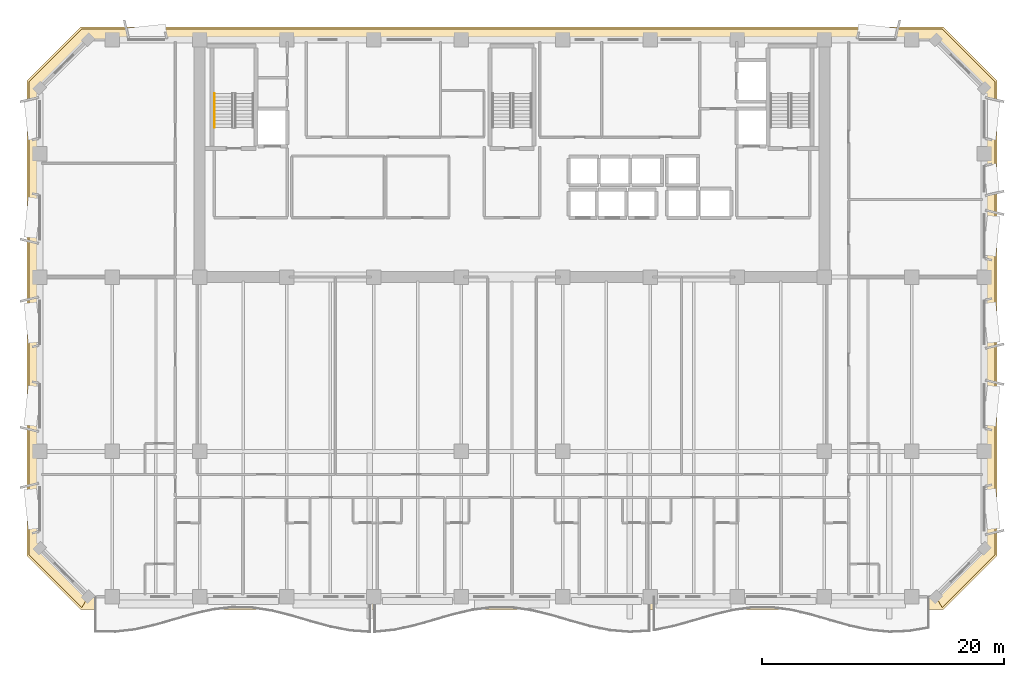
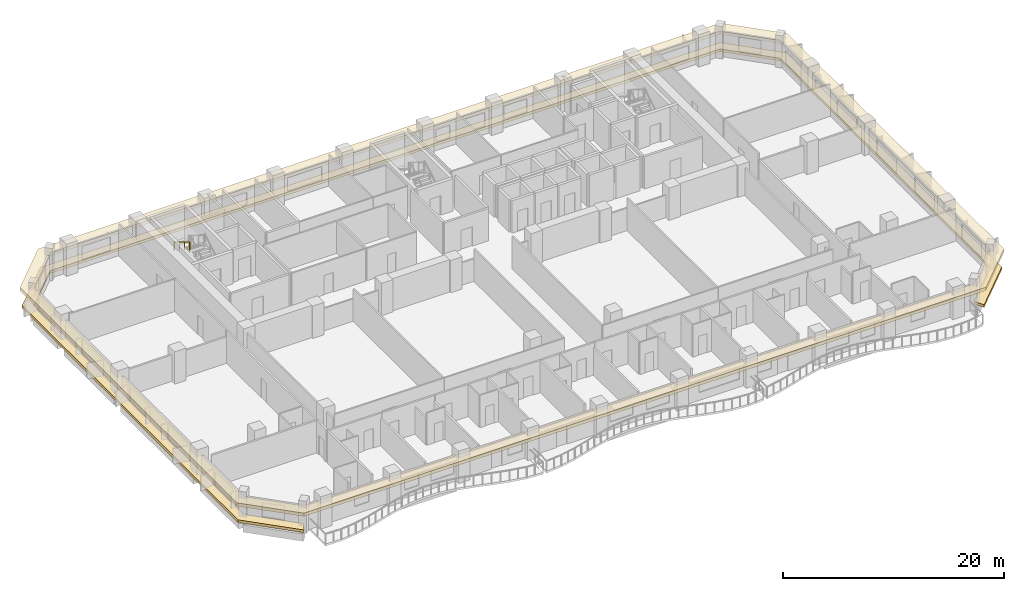
# One storey, part 12 of 15: 2 coverings, 1 railing.
"""IFC4 building model written with IfcOpenShell, lengths in metres."""

from ifc_helpers import new_model, si_unit, direction, frame, origin, origin_2d, place, context, subcontext, project, spatial, polyline, rectangle, outline, extrude, material, layer, layer_set, type_object, element, save


model = new_model("IFC4")

# Units and contexts
model_context = context("Model", 3, precision=1e-05, world=origin(), true_north=direction((0.0, 1.0)))
body_context = subcontext(model_context, "Body", "Model", "MODEL_VIEW")
ifc_project = project(units=[si_unit("LENGTHUNIT", "METRE"), si_unit("AREAUNIT", "SQUARE_METRE"), si_unit("VOLUMEUNIT", "CUBIC_METRE"), si_unit("PLANEANGLEUNIT", "RADIAN"), si_unit("MASSUNIT", "GRAM", prefix="KILO")], contexts=[model_context])

# Site, building, storey
site_placement = place(None, origin())
site = spatial("IfcSite", under=ifc_project, at=site_placement, CompositionType="ELEMENT")
building_placement = place(site_placement, origin())
building = spatial("IfcBuilding", under=site, at=building_placement, Name="Kaelvorn Grand Hotel", CompositionType="ELEMENT")
storey_placement = place(building_placement, frame((0.0, 0.0, 146.75)))
storey = spatial("IfcBuildingStorey", under=building, at=storey_placement, Name="L35", CompositionType="ELEMENT", Elevation=146.75)

# Coverings
ifc_material_1 = material(Name="Precast concrete C45/55", Category="concrete")
ifc_layer_1 = layer(ifc_material_1, 0.260009765625)
ifc_layer_set_1 = layer_set([ifc_layer_1], Name="Precast concrete C45/55")
covering_type_1 = type_object("IfcCoveringType", Name="COV-BAND-STREAMLINE-HEAD", PredefinedType="CLADDING", material=ifc_layer_set_1)
covering_1_placement = place(storey_placement, frame((0.0, 0.0, 2.3798828125)))
element("IfcCovering", 1, at=covering_1_placement, inside=storey, type_object=covering_type_1, Name="L35 Streamline Moderne Wraparound Horizontal Eyebrow Band", PredefinedType="CLADDING", context=body_context, shape_type="SweptSolid", body=[
    extrude(outline(polyline([(6.389892578125, 1.949951171875), (77.610107421875, 1.949951171875), (82.050048828125, 6.389892578125), (82.050048828125, 45.610107421875), (77.610107421875, 50.050048828125), (6.389892578125, 50.050048828125), (1.949951171875, 45.610107421875), (1.949951171875, 6.389892578125), (6.389892578125, 1.949951171875)]), holes=[polyline([(7.02001953125, 3.030029296875), (76.97998046875, 3.030029296875), (80.969970703125, 7.02001953125), (80.969970703125, 44.97998046875), (76.97998046875, 48.969970703125), (7.02001953125, 48.969970703125), (3.030029296875, 44.97998046875), (3.030029296875, 7.02001953125), (7.02001953125, 3.030029296875)])]), origin(), (0.0, 0.0, 1.0), 0.360107421875),
])
ifc_layer_2 = layer(ifc_material_1, 0.219970703125)
ifc_layer_set_2 = layer_set([ifc_layer_2], Name="Precast concrete C45/55")
covering_type_2 = type_object("IfcCoveringType", Name="COV-BAND-STREAMLINE-SILL", PredefinedType="CLADDING", material=ifc_layer_set_2)
covering_2_placement = place(storey_placement, frame((0.0, 0.0, 0.449951171875)))
element("IfcCovering", 2, at=covering_2_placement, inside=storey, type_object=covering_type_2, Name="L35 Streamline Moderne Wraparound Horizontal Sill Spandrel Band", PredefinedType="CLADDING", context=body_context, shape_type="SweptSolid", body=[
    extrude(outline(polyline([(77.515380859375, 2.1201171875), (81.8798828125, 6.484619140625), (81.8798828125, 45.515380859375), (77.515380859375, 49.8798828125), (6.484619140625, 49.8798828125), (2.1201171875, 45.515380859375), (2.1201171875, 6.484619140625), (6.484619140625, 2.1201171875), (7.017578125, 3.030029296875), (3.030029296875, 7.017578125), (3.030029296875, 44.982421875), (7.017578125, 48.969970703125), (76.982421875, 48.969970703125), (80.969970703125, 44.982421875), (80.969970703125, 7.017578125), (76.982421875, 3.030029296875), (77.515380859375, 2.1201171875)])), origin(), (0.0, 0.0, 1.0), 0.300048828125),
])

# Railing
ifc_material_2 = material(Name="Stainless Steel", Category="steel")
railing_type = type_object("IfcRailingType", Name="RL-HANDRAIL-900", PredefinedType="HANDRAIL", material=ifc_material_2)
railing_placement = place(storey_placement, frame((17.449951171875, 44.56005859375, 2.07275390625)))
element("IfcRailing", 3, at=railing_placement, inside=storey, type_object=railing_type, Name="L35 ST1 stair handrail 2", PredefinedType="HANDRAIL", context=body_context, shape_type="SweptSolid", body=[
    extrude(rectangle(XDim=0.048095703125, YDim=0.048095703125, at=origin_2d()), frame((0.0, 0.0, 0.8759765625), z_axis=(0.0, -0.851089632645, 0.525020415988), x_axis=(1.0, 0.0, 0.0)), (0.0, 0.0, 1.0), 3.2900390625),
    extrude(rectangle(XDim=0.0419921875, YDim=0.0419921875, at=origin_2d()), origin(), (0.0, 0.0, 1.0), 0.851806640625),
    extrude(rectangle(XDim=0.0419921875, YDim=0.0419921875, at=origin_2d()), frame((0.0, -0.933349609375, 0.57568359375)), (0.0, 0.0, 1.0), 0.851806640625),
    extrude(rectangle(XDim=0.0419921875, YDim=0.0419921875, at=origin_2d()), frame((0.0, -1.86669921875, 1.151611328125)), (0.0, 0.0, 1.0), 0.851806640625),
    extrude(rectangle(XDim=0.0419921875, YDim=0.0419921875, at=origin_2d()), frame((0.0, -2.800048828125, 1.727294921875)), (0.0, 0.0, 1.0), 0.851806640625),
])

save(model, "model.ifc")
